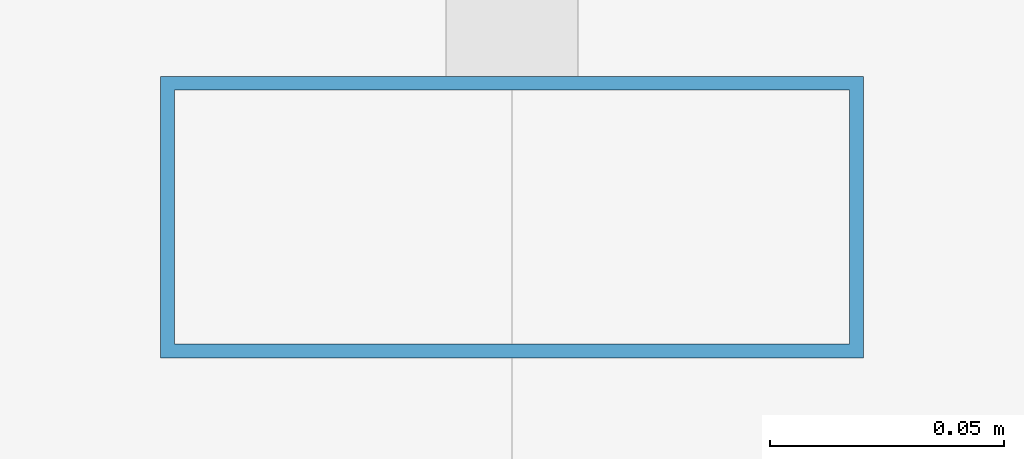
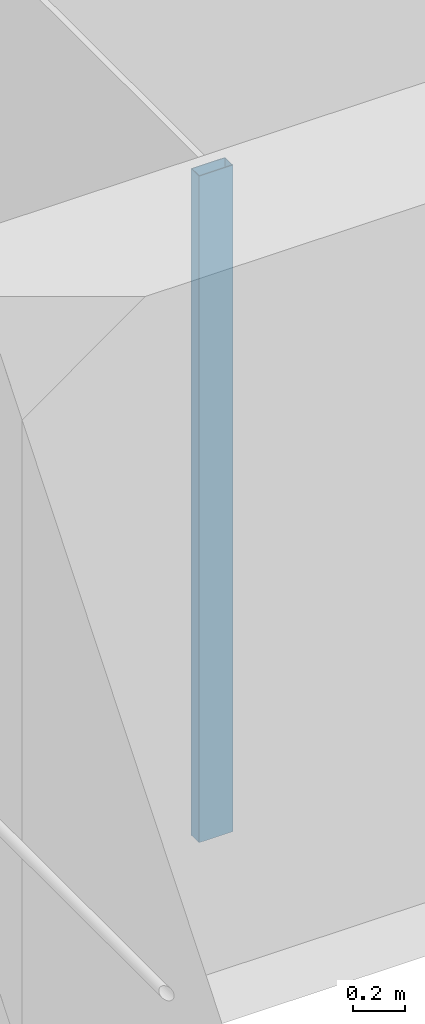
# One storey, part 11 of 45: 1 member, 1 element without a shape of its own.
"""IFC4 building model written with IfcOpenShell, lengths in metres."""

import ifcopenshell
import ifcopenshell.guid

model = None  # the IFC model being written
_history = None  # IfcOwnerHistory: only IFC2X3 demands one
_inside = {}  # id of a spatial element -> (the spatial element, [elements in it])
_under = {}  # id of a project, library or spatial element -> (it, [spatial elements below it])
_declared = {}  # id of a project -> (the project, [libraries it declares])
_typed = {}  # id of a type object -> (the type object, [elements of that type])
_made_of = {}  # id of a material, layer set ... -> (it, [elements and type objects made of it])


def new_model(schema):
    """Start an empty IFC model of exactly this schema.

    Asked for "IFC4X3", IfcOpenShell would pick the latest addendum, in which some entities
    have other attributes; the version numbers below select the first issue.
    IFC2X3 requires an IfcOwnerHistory on every rooted entity: one is made here for all.
    """
    global model, _history
    if schema == "IFC4X3":
        model = ifcopenshell.file(schema_version=(4, 3, 0, 0))
    else:
        model = ifcopenshell.file(schema=schema)
    _inside.clear()
    _under.clear()
    _declared.clear()
    _typed.clear()
    _made_of.clear()
    _history = None
    if model.schema == "IFC2X3":
        org = make("IfcOrganization", Name="unknown")
        user = make(
            "IfcPersonAndOrganization",
            ThePerson=make("IfcPerson", FamilyName="unknown"),
            TheOrganization=org,
        )
        app = make(
            "IfcApplication",
            ApplicationDeveloper=org,
            Version="unknown",
            ApplicationFullName="unknown",
            ApplicationIdentifier="unknown",
        )
        _history = make(
            "IfcOwnerHistory",
            OwningUser=user,
            OwningApplication=app,
            ChangeAction="ADDED",
            CreationDate=0,
        )
    return model


def make(cls, **values):
    """One entity of the class cls with the attributes given. An attribute that is None is left unset."""
    return model.create_entity(
        cls, **{name: value for name, value in values.items() if value is not None}
    )


def rooted(cls, **values):
    """An entity with a GlobalId (a new one), such as an element, a storey or a relation."""
    return make(cls, GlobalId=ifcopenshell.guid.new(), OwnerHistory=_history, **values)


def si_unit(unit_type, name, prefix=None):
    """IfcSIUnit, for example si_unit("LENGTHUNIT", "METRE", prefix="MILLI")."""
    return make("IfcSIUnit", UnitType=unit_type, Prefix=prefix, Name=name)


def assignment(units):
    """IfcUnitAssignment: the units of a project."""
    return None if units is None else make("IfcUnitAssignment", Units=units)


def point(xyz):
    """IfcCartesianPoint."""
    return None if xyz is None else make("IfcCartesianPoint", Coordinates=xyz)


def direction(xyz):
    """IfcDirection."""
    return None if xyz is None else make("IfcDirection", DirectionRatios=xyz)


def frame(location, z_axis=None, x_axis=None):
    """IfcAxis2Placement3D, a coordinate frame: its origin and axes. An axis left out is left unset."""
    return make(
        "IfcAxis2Placement3D",
        Location=point(location),
        Axis=direction(z_axis),
        RefDirection=direction(x_axis),
    )


def frame_2d(location, x_axis=None):
    """IfcAxis2Placement2D, a coordinate frame in the plane: its origin and x axis."""
    return make(
        "IfcAxis2Placement2D", Location=point(location), RefDirection=direction(x_axis)
    )


def origin():
    """The frame at (0, 0, 0) with its axes left unset."""
    return frame((0.0, 0.0, 0.0))


def origin_2d():
    """The frame at (0, 0) in the plane with its x axis left unset."""
    return frame_2d((0.0, 0.0))


def place(relative_to, where):
    """IfcLocalPlacement: puts the frame where relative to a parent placement (None: the world)."""
    return make(
        "IfcLocalPlacement", PlacementRelTo=relative_to, RelativePlacement=where
    )


def context(
    kind, dimensions, precision=None, world=None, true_north=None, identifier=None
):
    """IfcGeometricRepresentationContext, for example the 3D "Model" context."""
    return make(
        "IfcGeometricRepresentationContext",
        ContextIdentifier=identifier,
        ContextType=kind,
        CoordinateSpaceDimension=dimensions,
        Precision=precision,
        WorldCoordinateSystem=world,
        TrueNorth=true_north,
    )


def subcontext(parent, identifier, kind, view, scale=None):
    """IfcGeometricRepresentationSubContext, for example "Body" below "Model"."""
    return make(
        "IfcGeometricRepresentationSubContext",
        ContextIdentifier=identifier,
        ContextType=kind,
        ParentContext=parent,
        TargetScale=scale,
        TargetView=view,
    )


def project(units=None, contexts=None):
    """IfcProject with its units and contexts."""
    return rooted(
        "IfcProject",
        Name="project",
        RepresentationContexts=contexts,
        UnitsInContext=assignment(units),
    )


def spatial(cls, under=None, at=None, **own):
    """A site, building, storey or space (cls), placed at a placement, below another one or the project."""
    s = rooted(cls, ObjectPlacement=at, **own)
    if under is not None:
        _under.setdefault(under.id(), (under, []))[1].append(s)
    return s


def profile(cls, at=None, kind="AREA", **sizes):
    """A parametric profile (cls). Its sizes go by their IFC names, for example OverallWidth=200.0."""
    return make(cls, ProfileType=kind, Position=at, **sizes)


def hollow_rectangle(**sizes):
    """IfcRectangleHollowProfileDef."""
    return profile("IfcRectangleHollowProfileDef", **sizes)


def extrude(swept, where, along, depth):
    """IfcExtrudedAreaSolid: the profile swept, set in the frame where, extruded along a direction by depth."""
    return make(
        "IfcExtrudedAreaSolid",
        SweptArea=swept,
        Position=where,
        ExtrudedDirection=direction(along),
        Depth=depth,
    )


def shape(context_of_items, identifier, shape_type, items):
    """IfcShapeRepresentation: the items that make up one representation, for example the "Body"."""
    return make(
        "IfcShapeRepresentation",
        ContextOfItems=context_of_items,
        RepresentationIdentifier=identifier,
        RepresentationType=shape_type,
        Items=items,
    )


def material(Name=None, Category=None):
    """IfcMaterial."""
    return make("IfcMaterial", Name=Name, Category=Category)


def material_profile(
    of_material, cross_section, Name=None, Category=None, Priority=None
):
    """IfcMaterialProfile: a cross section and its material."""
    return make(
        "IfcMaterialProfile",
        Name=Name,
        Material=of_material,
        Profile=cross_section,
        Priority=Priority,
        Category=Category,
    )


def profile_set(profiles, Name=None, composite=None):
    """IfcMaterialProfileSet."""
    return make(
        "IfcMaterialProfileSet",
        Name=Name,
        MaterialProfiles=profiles,
        CompositeProfile=composite,
    )


def made_of(thing, what):
    """Note that an element or type object is made of a material, layer set ...; save() writes the relation."""
    if what is not None:
        _made_of.setdefault(what.id(), (what, []))[1].append(thing)
    return thing


def type_object(cls, material=None, **own):
    """A type object (cls), such as IfcWallType, which elements share."""
    return made_of(rooted(cls, **own), material)


def element(
    cls,
    number,
    at=None,
    inside=None,
    cuts=None,
    type_object=None,
    material=None,
    context=None,
    identifier="Body",
    shape_type=None,
    held_by="IfcProductDefinitionShape",
    body=None,
    shapes=None,
    **own,
):
    """One element of the class cls, such as IfcWall. Its Tag is "e" and its number.

    at: its placement. inside: the storey or other place that contains it. cuts: it is an
    opening in that element (IfcRelVoidsElement). A single representation is given by context,
    identifier, shape_type and body (its items); several are given by shapes. held_by: the class
    of the entity that holds the representations. save() writes the other relations.
    """
    e = rooted(cls, Tag="e%d" % number, ObjectPlacement=at, **own)
    if body is not None:
        shapes = [shape(context, identifier, shape_type, body)]
    if shapes is not None:
        e.Representation = make(held_by, Representations=shapes)
    if inside is not None:
        _inside.setdefault(inside.id(), (inside, []))[1].append(e)
    if cuts is not None:
        rooted(
            "IfcRelVoidsElement", RelatingBuildingElement=cuts, RelatedOpeningElement=e
        )
    if type_object is not None:
        _typed.setdefault(type_object.id(), (type_object, []))[1].append(e)
    return made_of(e, material)


def aggregate(whole, parts):
    """IfcRelAggregates: a whole, such as a stair, and the parts it consists of."""
    return rooted("IfcRelAggregates", RelatingObject=whole, RelatedObjects=parts)


def save(model, path):
    """Write the relations noted so far, then the file.

    IfcRelAggregates (storeys below a building ...), IfcRelContainedInSpatialStructure (elements
    in a storey), IfcRelDefinesByType, IfcRelAssociatesMaterial and IfcRelDeclares: one each for
    every whole, place, type object, material and project.
    """
    for whole, parts in _under.values():
        aggregate(whole, parts)
    for where, things in _inside.values():
        rooted(
            "IfcRelContainedInSpatialStructure",
            RelatedElements=things,
            RelatingStructure=where,
        )
    for kind, things in _typed.values():
        rooted("IfcRelDefinesByType", RelatedObjects=things, RelatingType=kind)
    for what, things in _made_of.values():
        rooted("IfcRelAssociatesMaterial", RelatedObjects=things, RelatingMaterial=what)
    for by, libraries in _declared.values():
        rooted("IfcRelDeclares", RelatingContext=by, RelatedDefinitions=libraries)
    model.write(path)


model = new_model("IFC4")

# Units and contexts
model_context = context("Model", 3, precision=1e-05, world=origin(), true_north=direction((0.0, 1.0)))
body_context = subcontext(model_context, "Body", "Model", "MODEL_VIEW")
ifc_project = project(units=[si_unit("LENGTHUNIT", "METRE"), si_unit("AREAUNIT", "SQUARE_METRE"), si_unit("VOLUMEUNIT", "CUBIC_METRE"), si_unit("PLANEANGLEUNIT", "RADIAN"), si_unit("MASSUNIT", "GRAM", prefix="KILO")], contexts=[model_context])

# Site, building, storey
site_placement = place(None, origin())
site = spatial("IfcSite", under=ifc_project, at=site_placement, CompositionType="ELEMENT")
building_placement = place(site_placement, origin())
building = spatial("IfcBuilding", under=site, at=building_placement, Name="Altepetl Exchange Towers", CompositionType="ELEMENT")
storey_placement = place(building_placement, frame((0.0, 0.0, 110.0)))
storey = spatial("IfcBuildingStorey", under=building, at=storey_placement, Name="L27", CompositionType="ELEMENT", Elevation=110.0)

# Curtain wall, member
ifc_material_1 = material(Name="Aluminium 6063-T6 glazing", Category="aluminium")
curtain_wall_type = type_object("IfcCurtainWallType", Name="Loggia glazing system", PredefinedType="NOTDEFINED", material=ifc_material_1)
curtain_wall_placement = place(storey_placement, origin())
curtain_wall = element("IfcCurtainWall", 1, at=curtain_wall_placement, inside=storey, type_object=curtain_wall_type, Name="CW1 run", PredefinedType="NOTDEFINED")
ifc_material_2 = material(Name="Aluminium 6063-T6", Category="aluminium")
ifc_material_profile = material_profile(ifc_material_2, hollow_rectangle(XDim=0.06005859375, YDim=0.14990234375, WallThickness=0.0029296875, at=origin_2d()), Name="Mullion 60x150 aluminium")
ifc_profile_set = profile_set([ifc_material_profile], Name="Aluminium 6063-T6")
member_type = type_object("IfcMemberType", Name="Mullion 60x150 aluminium", PredefinedType="MULLION", material=ifc_profile_set)
member_placement = place(storey_placement, frame((42.5, 58.60498046875, 0.0), z_axis=(0.0, 0.0, 1.0), x_axis=(0.0, -1.0, 0.0)))
member = element("IfcMember", 2, at=member_placement, type_object=member_type, Name="MU1 mullion", PredefinedType="MULLION", context=body_context, shape_type="SweptSolid", body=[
    extrude(hollow_rectangle(XDim=0.06005859375, YDim=0.14990234375, WallThickness=0.0029296875, at=origin_2d()), origin(), (0.0, 0.0, 1.0), 3.10009765625),
])
aggregate(curtain_wall, [member])

save(model, "model.ifc")
